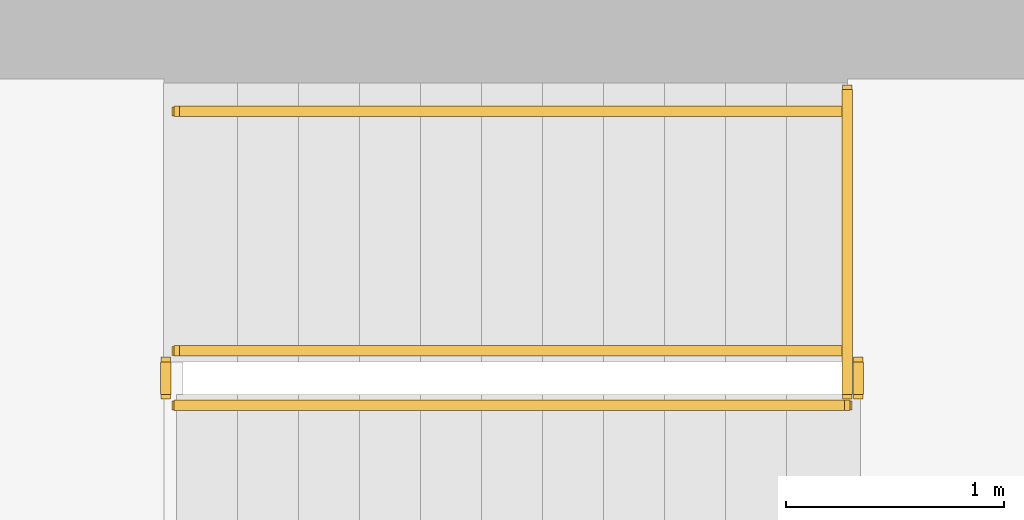
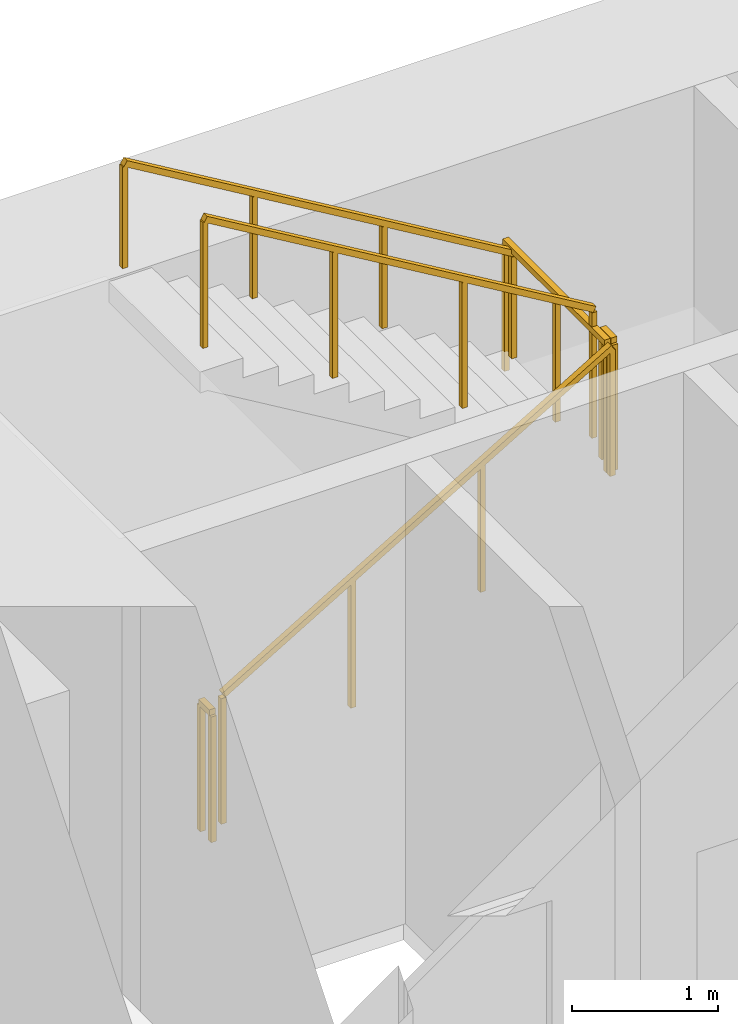
# One storey, part 15 of 16: 6 railings.
"""IFC4 building model written with IfcOpenShell, lengths in metres."""

import ifcopenshell
import ifcopenshell.guid

model = None  # the IFC model being written
_history = None  # IfcOwnerHistory: only IFC2X3 demands one
_inside = {}  # id of a spatial element -> (the spatial element, [elements in it])
_under = {}  # id of a project, library or spatial element -> (it, [spatial elements below it])
_declared = {}  # id of a project -> (the project, [libraries it declares])
_typed = {}  # id of a type object -> (the type object, [elements of that type])
_made_of = {}  # id of a material, layer set ... -> (it, [elements and type objects made of it])


def new_model(schema):
    """Start an empty IFC model of exactly this schema.

    Asked for "IFC4X3", IfcOpenShell would pick the latest addendum, in which some entities
    have other attributes; the version numbers below select the first issue.
    IFC2X3 requires an IfcOwnerHistory on every rooted entity: one is made here for all.
    """
    global model, _history
    if schema == "IFC4X3":
        model = ifcopenshell.file(schema_version=(4, 3, 0, 0))
    else:
        model = ifcopenshell.file(schema=schema)
    _inside.clear()
    _under.clear()
    _declared.clear()
    _typed.clear()
    _made_of.clear()
    _history = None
    if model.schema == "IFC2X3":
        org = make("IfcOrganization", Name="unknown")
        user = make(
            "IfcPersonAndOrganization",
            ThePerson=make("IfcPerson", FamilyName="unknown"),
            TheOrganization=org,
        )
        app = make(
            "IfcApplication",
            ApplicationDeveloper=org,
            Version="unknown",
            ApplicationFullName="unknown",
            ApplicationIdentifier="unknown",
        )
        _history = make(
            "IfcOwnerHistory",
            OwningUser=user,
            OwningApplication=app,
            ChangeAction="ADDED",
            CreationDate=0,
        )
    return model


def make(cls, **values):
    """One entity of the class cls with the attributes given. An attribute that is None is left unset."""
    return model.create_entity(
        cls, **{name: value for name, value in values.items() if value is not None}
    )


def rooted(cls, **values):
    """An entity with a GlobalId (a new one), such as an element, a storey or a relation."""
    return make(cls, GlobalId=ifcopenshell.guid.new(), OwnerHistory=_history, **values)


def si_unit(unit_type, name, prefix=None):
    """IfcSIUnit, for example si_unit("LENGTHUNIT", "METRE", prefix="MILLI")."""
    return make("IfcSIUnit", UnitType=unit_type, Prefix=prefix, Name=name)


def assignment(units):
    """IfcUnitAssignment: the units of a project."""
    return None if units is None else make("IfcUnitAssignment", Units=units)


def point(xyz):
    """IfcCartesianPoint."""
    return None if xyz is None else make("IfcCartesianPoint", Coordinates=xyz)


def direction(xyz):
    """IfcDirection."""
    return None if xyz is None else make("IfcDirection", DirectionRatios=xyz)


def frame(location, z_axis=None, x_axis=None):
    """IfcAxis2Placement3D, a coordinate frame: its origin and axes. An axis left out is left unset."""
    return make(
        "IfcAxis2Placement3D",
        Location=point(location),
        Axis=direction(z_axis),
        RefDirection=direction(x_axis),
    )


def frame_2d(location, x_axis=None):
    """IfcAxis2Placement2D, a coordinate frame in the plane: its origin and x axis."""
    return make(
        "IfcAxis2Placement2D", Location=point(location), RefDirection=direction(x_axis)
    )


def origin():
    """The frame at (0, 0, 0) with its axes left unset."""
    return frame((0.0, 0.0, 0.0))


def origin_2d():
    """The frame at (0, 0) in the plane with its x axis left unset."""
    return frame_2d((0.0, 0.0))


def place(relative_to, where):
    """IfcLocalPlacement: puts the frame where relative to a parent placement (None: the world)."""
    return make(
        "IfcLocalPlacement", PlacementRelTo=relative_to, RelativePlacement=where
    )


def context(
    kind, dimensions, precision=None, world=None, true_north=None, identifier=None
):
    """IfcGeometricRepresentationContext, for example the 3D "Model" context."""
    return make(
        "IfcGeometricRepresentationContext",
        ContextIdentifier=identifier,
        ContextType=kind,
        CoordinateSpaceDimension=dimensions,
        Precision=precision,
        WorldCoordinateSystem=world,
        TrueNorth=true_north,
    )


def subcontext(parent, identifier, kind, view, scale=None):
    """IfcGeometricRepresentationSubContext, for example "Body" below "Model"."""
    return make(
        "IfcGeometricRepresentationSubContext",
        ContextIdentifier=identifier,
        ContextType=kind,
        ParentContext=parent,
        TargetScale=scale,
        TargetView=view,
    )


def project(units=None, contexts=None):
    """IfcProject with its units and contexts."""
    return rooted(
        "IfcProject",
        Name="project",
        RepresentationContexts=contexts,
        UnitsInContext=assignment(units),
    )


def spatial(cls, under=None, at=None, **own):
    """A site, building, storey or space (cls), placed at a placement, below another one or the project."""
    s = rooted(cls, ObjectPlacement=at, **own)
    if under is not None:
        _under.setdefault(under.id(), (under, []))[1].append(s)
    return s


def profile(cls, at=None, kind="AREA", **sizes):
    """A parametric profile (cls). Its sizes go by their IFC names, for example OverallWidth=200.0."""
    return make(cls, ProfileType=kind, Position=at, **sizes)


def rectangle(**sizes):
    """IfcRectangleProfileDef."""
    return profile("IfcRectangleProfileDef", **sizes)


def extrude(swept, where, along, depth):
    """IfcExtrudedAreaSolid: the profile swept, set in the frame where, extruded along a direction by depth."""
    return make(
        "IfcExtrudedAreaSolid",
        SweptArea=swept,
        Position=where,
        ExtrudedDirection=direction(along),
        Depth=depth,
    )


def shape(context_of_items, identifier, shape_type, items):
    """IfcShapeRepresentation: the items that make up one representation, for example the "Body"."""
    return make(
        "IfcShapeRepresentation",
        ContextOfItems=context_of_items,
        RepresentationIdentifier=identifier,
        RepresentationType=shape_type,
        Items=items,
    )


def material(Name=None, Category=None):
    """IfcMaterial."""
    return make("IfcMaterial", Name=Name, Category=Category)


def made_of(thing, what):
    """Note that an element or type object is made of a material, layer set ...; save() writes the relation."""
    if what is not None:
        _made_of.setdefault(what.id(), (what, []))[1].append(thing)
    return thing


def type_object(cls, material=None, **own):
    """A type object (cls), such as IfcWallType, which elements share."""
    return made_of(rooted(cls, **own), material)


def element(
    cls,
    number,
    at=None,
    inside=None,
    cuts=None,
    type_object=None,
    material=None,
    context=None,
    identifier="Body",
    shape_type=None,
    held_by="IfcProductDefinitionShape",
    body=None,
    shapes=None,
    **own,
):
    """One element of the class cls, such as IfcWall. Its Tag is "e" and its number.

    at: its placement. inside: the storey or other place that contains it. cuts: it is an
    opening in that element (IfcRelVoidsElement). A single representation is given by context,
    identifier, shape_type and body (its items); several are given by shapes. held_by: the class
    of the entity that holds the representations. save() writes the other relations.
    """
    e = rooted(cls, Tag="e%d" % number, ObjectPlacement=at, **own)
    if body is not None:
        shapes = [shape(context, identifier, shape_type, body)]
    if shapes is not None:
        e.Representation = make(held_by, Representations=shapes)
    if inside is not None:
        _inside.setdefault(inside.id(), (inside, []))[1].append(e)
    if cuts is not None:
        rooted(
            "IfcRelVoidsElement", RelatingBuildingElement=cuts, RelatedOpeningElement=e
        )
    if type_object is not None:
        _typed.setdefault(type_object.id(), (type_object, []))[1].append(e)
    return made_of(e, material)


def aggregate(whole, parts):
    """IfcRelAggregates: a whole, such as a stair, and the parts it consists of."""
    return rooted("IfcRelAggregates", RelatingObject=whole, RelatedObjects=parts)


def save(model, path):
    """Write the relations noted so far, then the file.

    IfcRelAggregates (storeys below a building ...), IfcRelContainedInSpatialStructure (elements
    in a storey), IfcRelDefinesByType, IfcRelAssociatesMaterial and IfcRelDeclares: one each for
    every whole, place, type object, material and project.
    """
    for whole, parts in _under.values():
        aggregate(whole, parts)
    for where, things in _inside.values():
        rooted(
            "IfcRelContainedInSpatialStructure",
            RelatedElements=things,
            RelatingStructure=where,
        )
    for kind, things in _typed.values():
        rooted("IfcRelDefinesByType", RelatedObjects=things, RelatingType=kind)
    for what, things in _made_of.values():
        rooted("IfcRelAssociatesMaterial", RelatedObjects=things, RelatingMaterial=what)
    for by, libraries in _declared.values():
        rooted("IfcRelDeclares", RelatingContext=by, RelatedDefinitions=libraries)
    model.write(path)


model = new_model("IFC4")

# Units and contexts
model_context = context("Model", 3, precision=1e-05, world=origin(), true_north=direction((0.0, 1.0)))
body_context = subcontext(model_context, "Body", "Model", "MODEL_VIEW")
ifc_project = project(units=[si_unit("LENGTHUNIT", "METRE"), si_unit("AREAUNIT", "SQUARE_METRE"), si_unit("VOLUMEUNIT", "CUBIC_METRE"), si_unit("PLANEANGLEUNIT", "RADIAN"), si_unit("MASSUNIT", "GRAM", prefix="KILO")], contexts=[model_context])

# Site, building, storey
site_placement = place(None, origin())
site = spatial("IfcSite", under=ifc_project, at=site_placement, CompositionType="ELEMENT")
building_placement = place(site_placement, origin())
building = spatial("IfcBuilding", under=site, at=building_placement, Name="Sennacour Bend Tower", CompositionType="ELEMENT")
storey_placement = place(building_placement, frame((0.0, 0.0, 103.0)))
storey = spatial("IfcBuildingStorey", under=building, at=storey_placement, Name="L23", CompositionType="ELEMENT", Elevation=103.0)

# Railings
ifc_material = material(Name="Stainless steel", Category="steel")
railing_type_1 = type_object("IfcRailingType", Name="RL-GUARD-1100", PredefinedType="GUARDRAIL", material=ifc_material)
railing_1_placement = place(storey_placement, frame((56.699951171875, 19.85009765625, 0.166748046875)))
element("IfcRailing", 1, at=railing_1_placement, inside=storey, type_object=railing_type_1, Name="L23 SA2 stair guard 1", PredefinedType="GUARDRAIL", context=body_context, shape_type="SweptSolid", body=[
    extrude(rectangle(XDim=0.048095703125, YDim=0.048095703125, at=origin_2d()), frame((0.0, 0.0, 1.076171875), z_axis=(0.859308565015, 0.0, 0.511457515432), x_axis=(0.0, 1.0, 0.0)), (0.0, 0.0, 1.0), 3.58447265625),
    extrude(rectangle(XDim=0.0419921875, YDim=0.0419921875, at=origin_2d()), origin(), (0.0, 0.0, 1.0), 1.052001953125),
    extrude(rectangle(XDim=0.0419921875, YDim=0.0419921875, at=origin_2d()), frame((1.026611328125, 0.0, 0.611083984375)), (0.0, 0.0, 1.0), 1.052001953125),
    extrude(rectangle(XDim=0.0419921875, YDim=0.0419921875, at=origin_2d()), frame((2.053466796875, 0.0, 1.22216796875)), (0.0, 0.0, 1.0), 1.052001953125),
    extrude(rectangle(XDim=0.0419921875, YDim=0.0419921875, at=origin_2d()), frame((3.080078125, 0.0, 1.833251953125)), (0.0, 0.0, 1.0), 1.052001953125),
])
railing_2_placement = place(storey_placement, frame((59.830078125, 19.89990234375, 2.0)))
element("IfcRailing", 2, at=railing_2_placement, inside=storey, type_object=railing_type_1, Name="L23 SA2 stair guard 2", PredefinedType="GUARDRAIL", context=body_context, shape_type="SweptSolid", body=[
    extrude(rectangle(XDim=0.048095703125, YDim=0.048095703125, at=origin_2d()), frame((0.0, 0.0, 1.076171875), z_axis=(0.0, 1.0, 0.0), x_axis=(-1.0, 0.0, 0.0)), (0.0, 0.0, 1.0), 0.150146484375),
    extrude(rectangle(XDim=0.0419921875, YDim=0.0419921875, at=origin_2d()), origin(), (0.0, 0.0, 1.0), 1.052001953125),
    extrude(rectangle(XDim=0.0419921875, YDim=0.0419921875, at=origin_2d()), frame((0.0, 0.150146484375, 0.0)), (0.0, 0.0, 1.0), 1.052001953125),
])
railing_3_placement = place(storey_placement, frame((59.780029296875, 20.10009765625, 2.166748046875)))
element("IfcRailing", 3, at=railing_3_placement, inside=storey, type_object=railing_type_1, Name="L23 SA2 stair guard 4", PredefinedType="GUARDRAIL", context=body_context, shape_type="SweptSolid", body=[
    extrude(rectangle(XDim=0.048095703125, YDim=0.048095703125, at=origin_2d()), frame((0.0, 0.0, 1.076171875), z_axis=(-0.859308565015, 0.0, 0.511457515432), x_axis=(0.0, -1.0, 0.0)), (0.0, 0.0, 1.0), 3.58447265625),
    extrude(rectangle(XDim=0.0419921875, YDim=0.0419921875, at=origin_2d()), origin(), (0.0, 0.0, 1.0), 1.052001953125),
    extrude(rectangle(XDim=0.0419921875, YDim=0.0419921875, at=origin_2d()), frame((-1.026611328125, 0.0, 0.611083984375)), (0.0, 0.0, 1.0), 1.052001953125),
    extrude(rectangle(XDim=0.0419921875, YDim=0.0419921875, at=origin_2d()), frame((-2.053466796875, 0.0, 1.22216796875)), (0.0, 0.0, 1.0), 1.052001953125),
    extrude(rectangle(XDim=0.0419921875, YDim=0.0419921875, at=origin_2d()), frame((-3.080078125, 0.0, 1.833251953125)), (0.0, 0.0, 1.0), 1.052001953125),
])
railing_4_placement = place(storey_placement, frame((56.64990234375, 19.89990234375, 0.0)))
element("IfcRailing", 4, at=railing_4_placement, inside=storey, type_object=railing_type_1, Name="L23 SA2 stair guard 5", PredefinedType="GUARDRAIL", context=body_context, shape_type="SweptSolid", body=[
    extrude(rectangle(XDim=0.048095703125, YDim=0.048095703125, at=origin_2d()), frame((0.0, 0.0, 1.076171875), z_axis=(0.0, 1.0, 0.0), x_axis=(-1.0, 0.0, 0.0)), (0.0, 0.0, 1.0), 0.150146484375),
    extrude(rectangle(XDim=0.0419921875, YDim=0.0419921875, at=origin_2d()), origin(), (0.0, 0.0, 1.0), 1.052001953125),
    extrude(rectangle(XDim=0.0419921875, YDim=0.0419921875, at=origin_2d()), frame((0.0, 0.150146484375, 0.0)), (0.0, 0.0, 1.0), 1.052001953125),
])
railing_5_placement = place(storey_placement, frame((59.780029296875, 19.89990234375, 2.0)))
element("IfcRailing", 5, at=railing_5_placement, inside=storey, type_object=railing_type_1, Name="L23 SA2 landing edge guard 36", PredefinedType="GUARDRAIL", context=body_context, shape_type="SweptSolid", body=[
    extrude(rectangle(XDim=0.048095703125, YDim=0.048095703125, at=origin_2d()), frame((0.0, 0.0, 1.076171875), z_axis=(0.0, 1.0, 0.0), x_axis=(-1.0, 0.0, 0.0)), (0.0, 0.0, 1.0), 1.400146484375),
    extrude(rectangle(XDim=0.0419921875, YDim=0.0419921875, at=origin_2d()), origin(), (0.0, 0.0, 1.0), 1.052001953125),
    extrude(rectangle(XDim=0.0419921875, YDim=0.0419921875, at=origin_2d()), frame((0.0, 0.7001953125, 0.0)), (0.0, 0.0, 1.0), 1.052001953125),
    extrude(rectangle(XDim=0.0419921875, YDim=0.0419921875, at=origin_2d()), frame((0.0, 1.400146484375, 0.0)), (0.0, 0.0, 1.0), 1.052001953125),
])
railing_type_2 = type_object("IfcRailingType", Name="RL-HANDRAIL-900", PredefinedType="HANDRAIL", material=ifc_material)
railing_6_placement = place(storey_placement, frame((59.780029296875, 21.199951171875, 2.166748046875)))
element("IfcRailing", 6, at=railing_6_placement, inside=storey, type_object=railing_type_2, Name="L23 SA2 stair handrail 2", PredefinedType="HANDRAIL", context=body_context, shape_type="SweptSolid", body=[
    extrude(rectangle(XDim=0.048095703125, YDim=0.048095703125, at=origin_2d()), frame((0.0, 0.0, 0.8759765625), z_axis=(-0.859308565015, 0.0, 0.511457515432), x_axis=(0.0, -1.0, 0.0)), (0.0, 0.0, 1.0), 3.58447265625),
    extrude(rectangle(XDim=0.0419921875, YDim=0.0419921875, at=origin_2d()), origin(), (0.0, 0.0, 1.0), 0.851806640625),
    extrude(rectangle(XDim=0.0419921875, YDim=0.0419921875, at=origin_2d()), frame((-1.026611328125, 0.0, 0.611083984375)), (0.0, 0.0, 1.0), 0.851806640625),
    extrude(rectangle(XDim=0.0419921875, YDim=0.0419921875, at=origin_2d()), frame((-2.053466796875, 0.0, 1.22216796875)), (0.0, 0.0, 1.0), 0.851806640625),
    extrude(rectangle(XDim=0.0419921875, YDim=0.0419921875, at=origin_2d()), frame((-3.080078125, 0.0, 1.833251953125)), (0.0, 0.0, 1.0), 0.851806640625),
])

save(model, "model.ifc")
